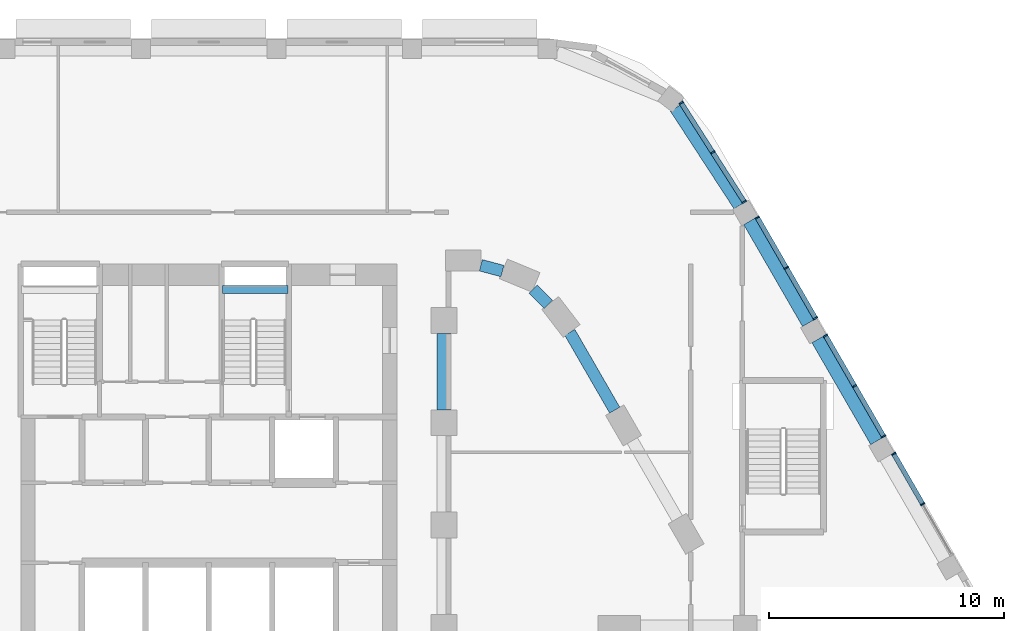
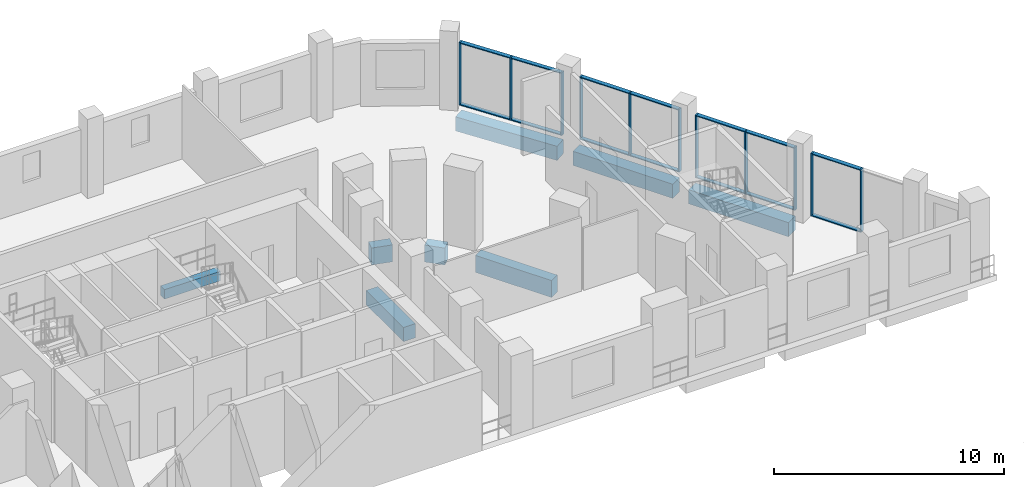
# One storey, part 6 of 22: 25 members, 8 beams, 4 elements without a shape of their own.
"""IFC4 building model written with IfcOpenShell, lengths in metres."""

from ifc_helpers import new_model, si_unit, direction, frame, origin, origin_2d, place, context, subcontext, project, spatial, rectangle, extrude, material, layer, layer_set, material_profile, profile_set, type_object, element, aggregate, save


model = new_model("IFC4")

# Units and contexts
model_context = context("Model", 3, precision=1e-05, world=origin(), true_north=direction((0.0, 1.0)))
body_context = subcontext(model_context, "Body", "Model", "MODEL_VIEW")
ifc_project = project(units=[si_unit("LENGTHUNIT", "METRE"), si_unit("AREAUNIT", "SQUARE_METRE"), si_unit("VOLUMEUNIT", "CUBIC_METRE"), si_unit("PLANEANGLEUNIT", "RADIAN"), si_unit("MASSUNIT", "GRAM", prefix="KILO")], contexts=[model_context])

# Site, building, storey
site_placement = place(None, origin())
site = spatial("IfcSite", under=ifc_project, at=site_placement, CompositionType="ELEMENT")
building_placement = place(site_placement, origin())
building = spatial("IfcBuilding", under=site, at=building_placement, Name="Nakaniwa Court", CompositionType="ELEMENT")
storey_placement = place(building_placement, frame((0.0, 0.0, 24.0)))
storey = spatial("IfcBuildingStorey", under=building, at=storey_placement, Name="L05", CompositionType="ELEMENT", Elevation=24.0)

# Beams
ifc_material_1 = material(Name="Concrete C100/115", Category="concrete")
ifc_material_profile_1 = material_profile(ifc_material_1, rectangle(XDim=0.5, YDim=0.89990234375, at=origin_2d()), Name="Concrete C100/115 RC 500x900 spandrel beam")
ifc_profile_set_1 = profile_set([ifc_material_profile_1], Name="Concrete C100/115")
beam_type_1 = type_object("IfcBeamType", Name="Concrete C100/115 RC 500x900 spandrel beam", PredefinedType="BEAM", material=ifc_profile_set_1)
beam_1_placement = place(storey_placement, frame((97.2705078125, 97.1865234375, -0.75), z_axis=(-0.500023067617, 0.86601208528, 0.0), x_axis=(-0.86601208528, -0.500023067617, 0.0)))
element("IfcBeam", 1, at=beam_1_placement, inside=storey, type_object=beam_type_1, Name="SPANDREL BEAM", PredefinedType="BEAM", context=body_context, shape_type="SweptSolid", body=[
    extrude(rectangle(XDim=0.5, YDim=0.89990234375, at=origin_2d()), origin(), (0.0, 0.0, 1.0), 3.819580078125),
])
beam_2_placement = place(storey_placement, frame((94.448486328125, 101.68505859375, -0.75), z_axis=(-0.705908410536, 0.708303124329, 0.0), x_axis=(-0.708303124329, -0.705908410536, 0.0)))
element("IfcBeam", 2, at=beam_2_placement, inside=storey, type_object=beam_type_1, Name="SPANDREL BEAM", PredefinedType="BEAM", context=body_context, shape_type="SweptSolid", body=[
    extrude(rectangle(XDim=0.5, YDim=0.89990234375, at=origin_2d()), origin(), (0.0, 0.0, 1.0), 0.91748046875),
])
beam_3_placement = place(storey_placement, frame((92.49609375, 103.10498046875, -0.75), z_axis=(-0.966324126494, 0.257327966912, 0.0), x_axis=(-0.257327966912, -0.966324126494, 0.0)))
element("IfcBeam", 3, at=beam_3_placement, inside=storey, type_object=beam_type_1, Name="SPANDREL BEAM", PredefinedType="BEAM", context=body_context, shape_type="SweptSolid", body=[
    extrude(rectangle(XDim=0.5, YDim=0.89990234375, at=origin_2d()), origin(), (0.0, 0.0, 1.0), 0.95361328125),
])
ifc_material_profile_2 = material_profile(ifc_material_1, rectangle(XDim=0.60009765625, YDim=0.75, at=origin_2d()), Name="Concrete C100/115 RC 600x750 ring beam")
ifc_profile_set_2 = profile_set([ifc_material_profile_2], Name="Concrete C100/115")
beam_type_2 = type_object("IfcBeamType", Name="Concrete C100/115 RC 600x750 ring beam", PredefinedType="BEAM", material=ifc_profile_set_2)
beam_4_placement = place(storey_placement, frame((90.0, 97.199951171875, -0.675048828125), z_axis=(0.0, 1.0, 0.0), x_axis=(-1.0, 0.0, 0.0)))
element("IfcBeam", 4, at=beam_4_placement, inside=storey, type_object=beam_type_2, Name="RING BEAM", PredefinedType="BEAM", context=body_context, shape_type="SweptSolid", body=[
    extrude(rectangle(XDim=0.60009765625, YDim=0.75, at=origin_2d()), origin(), (0.0, 0.0, 1.0), 3.25),
])
beam_5_placement = place(storey_placement, frame((108.422119140625, 95.87158203125, -0.675048828125), z_axis=(-0.499997052475, 0.866027105532, 0.0), x_axis=(-0.866027105532, -0.499997052475, 0.0)))
element("IfcBeam", 5, at=beam_5_placement, inside=storey, type_object=beam_type_2, Name="RING BEAM", PredefinedType="BEAM", context=body_context, shape_type="SweptSolid", body=[
    extrude(rectangle(XDim=0.60009765625, YDim=0.75, at=origin_2d()), origin(), (0.0, 0.0, 1.0), 5.00244140625),
])
beam_6_placement = place(storey_placement, frame((105.520751953125, 100.896728515625, -0.675048828125), z_axis=(-0.499981580887, 0.866036037803, 0.0), x_axis=(-0.866036037803, -0.499981580887, 0.0)))
element("IfcBeam", 6, at=beam_6_placement, inside=storey, type_object=beam_type_2, Name="RING BEAM", PredefinedType="BEAM", context=body_context, shape_type="SweptSolid", body=[
    extrude(rectangle(XDim=0.60009765625, YDim=0.75, at=origin_2d()), origin(), (0.0, 0.0, 1.0), 5.002197265625),
])
beam_7_placement = place(storey_placement, frame((102.600830078125, 105.910888671875, -0.675048828125), z_axis=(-0.546240745353, 0.837628227865, 0.0), x_axis=(-0.837628227865, -0.546240745353, 0.0)))
element("IfcBeam", 7, at=beam_7_placement, inside=storey, type_object=beam_type_2, Name="RING BEAM", PredefinedType="BEAM", context=body_context, shape_type="SweptSolid", body=[
    extrude(rectangle(XDim=0.60009765625, YDim=0.75, at=origin_2d()), origin(), (0.0, 0.0, 1.0), 4.95849609375),
])
ifc_material_2 = material(Name="Concrete C80/100", Category="concrete")
ifc_material_profile_3 = material_profile(ifc_material_2, rectangle(XDim=0.35009765625, YDim=0.5, at=origin_2d()), Name="Concrete C80/100 RC 350x500 landing ledge beam")
ifc_profile_set_3 = profile_set([ifc_material_profile_3], Name="Concrete C80/100")
beam_type_3 = type_object("IfcBeamType", Name="Concrete C80/100 RC 350x500 landing ledge beam", PredefinedType="BEAM", material=ifc_profile_set_3)
beam_8_placement = place(storey_placement, frame((80.574951171875, 102.324951171875, 1.64990234375), z_axis=(1.0, 0.0, 0.0), x_axis=(0.0, 1.0, 0.0)))
element("IfcBeam", 8, at=beam_8_placement, inside=storey, type_object=beam_type_3, Name="LANDING LEDGE BEAM", PredefinedType="BEAM", context=body_context, shape_type="SweptSolid", body=[
    extrude(rectangle(XDim=0.35009765625, YDim=0.5, at=origin_2d()), origin(), (0.0, 0.0, 1.0), 2.800048828125),
])

# Curtain wall, members
ifc_material_3 = material(Name="Black anodised aluminium frame with dark low-E laminated double glazing", Category="aluminium")
ifc_layer = layer(ifc_material_3, 0.199951171875)
ifc_layer_set = layer_set([ifc_layer], Name="Black anodised aluminium frame with dark low-E laminated double glazing")
curtain_wall_type = type_object("IfcCurtainWallType", Name="Podium unitised curtain wall", PredefinedType="NOTDEFINED", material=ifc_layer_set)
curtain_wall_1_placement = place(storey_placement, origin())
curtain_wall_1 = element("IfcCurtainWall", 9, at=curtain_wall_1_placement, inside=storey, type_object=curtain_wall_type, Name="L05 curtain wall CW1 40", PredefinedType="NOTDEFINED")
ifc_material_4 = material(Name="Black anodised aluminium extrusion", Category="aluminium")
ifc_material_profile_4 = material_profile(ifc_material_4, rectangle(XDim=0.199951171875, YDim=0.06494140625, at=origin_2d()), Name="Podium unitised curtain wall mullion 65x200")
ifc_profile_set_4 = profile_set([ifc_material_profile_4], Name="Black anodised aluminium extrusion")
member_type_1 = type_object("IfcMemberType", Name="Podium unitised curtain wall mullion 65x200", PredefinedType="MULLION", material=ifc_profile_set_4)
member_1_placement = place(storey_placement, frame((110.375732421875, 93.187744140625, 0.0), z_axis=(0.0, 0.0, 1.0), x_axis=(-0.866032365426, -0.499987941889, 0.0)))
member_1 = element("IfcMember", 10, at=member_1_placement, type_object=member_type_1, Name="CW1 mullion 2", PredefinedType="MULLION", context=body_context, shape_type="SweptSolid", body=[
    extrude(rectangle(XDim=0.199951171875, YDim=0.06494140625, at=origin_2d()), origin(), (0.0, 0.0, 1.0), 3.324951171875),
])
member_2_placement = place(storey_placement, frame((109.139404296875, 95.329345703125, 0.0), z_axis=(0.0, 0.0, 1.0), x_axis=(-0.866032365426, -0.499987941889, 0.0)))
member_2 = element("IfcMember", 11, at=member_2_placement, type_object=member_type_1, Name="CW1 mullion 3", PredefinedType="MULLION", context=body_context, shape_type="SweptSolid", body=[
    extrude(rectangle(XDim=0.199951171875, YDim=0.06494140625, at=origin_2d()), origin(), (0.0, 0.0, 1.0), 3.324951171875),
])

curtain_wall_2_placement = place(storey_placement, origin())
curtain_wall_2 = element("IfcCurtainWall", 12, at=curtain_wall_2_placement, inside=storey, type_object=curtain_wall_type, Name="L05 curtain wall CW1 41", PredefinedType="NOTDEFINED")
member_3_placement = place(storey_placement, frame((108.7109375, 96.0712890625, 0.0), z_axis=(0.0, 0.0, 1.0), x_axis=(-0.866028712692, -0.499994268761, 0.0)))
member_3 = element("IfcMember", 13, at=member_3_placement, type_object=member_type_1, Name="CW1 mullion 1", PredefinedType="MULLION", context=body_context, shape_type="SweptSolid", body=[
    extrude(rectangle(XDim=0.199951171875, YDim=0.06494140625, at=origin_2d()), origin(), (0.0, 0.0, 1.0), 3.324951171875),
])
member_4_placement = place(storey_placement, frame((107.474609375, 98.212890625, 0.0), z_axis=(0.0, 0.0, 1.0), x_axis=(-0.866028712692, -0.499994268761, 0.0)))
member_4 = element("IfcMember", 14, at=member_4_placement, type_object=member_type_1, Name="CW1 mullion 2", PredefinedType="MULLION", context=body_context, shape_type="SweptSolid", body=[
    extrude(rectangle(XDim=0.199951171875, YDim=0.06494140625, at=origin_2d()), origin(), (0.0, 0.0, 1.0), 3.324951171875),
])
member_5_placement = place(storey_placement, frame((106.238037109375, 100.354248046875, 0.0), z_axis=(0.0, 0.0, 1.0), x_axis=(-0.866028712692, -0.499994268761, 0.0)))
member_5 = element("IfcMember", 15, at=member_5_placement, type_object=member_type_1, Name="CW1 mullion 3", PredefinedType="MULLION", context=body_context, shape_type="SweptSolid", body=[
    extrude(rectangle(XDim=0.199951171875, YDim=0.06494140625, at=origin_2d()), origin(), (0.0, 0.0, 1.0), 3.324951171875),
])

curtain_wall_3_placement = place(storey_placement, origin())
curtain_wall_3 = element("IfcCurtainWall", 16, at=curtain_wall_3_placement, inside=storey, type_object=curtain_wall_type, Name="L05 curtain wall CW1 42", PredefinedType="NOTDEFINED")
member_6_placement = place(storey_placement, frame((105.8095703125, 101.096435546875, 0.0), z_axis=(0.0, 0.0, 1.0), x_axis=(-0.866032365426, -0.499987941889, 0.0)))
member_6 = element("IfcMember", 17, at=member_6_placement, type_object=member_type_1, Name="CW1 mullion 1", PredefinedType="MULLION", context=body_context, shape_type="SweptSolid", body=[
    extrude(rectangle(XDim=0.199951171875, YDim=0.06494140625, at=origin_2d()), origin(), (0.0, 0.0, 1.0), 3.324951171875),
])
member_7_placement = place(storey_placement, frame((104.5732421875, 103.23779296875, 0.0), z_axis=(0.0, 0.0, 1.0), x_axis=(-0.866032365426, -0.499987941889, 0.0)))
member_7 = element("IfcMember", 18, at=member_7_placement, type_object=member_type_1, Name="CW1 mullion 2", PredefinedType="MULLION", context=body_context, shape_type="SweptSolid", body=[
    extrude(rectangle(XDim=0.199951171875, YDim=0.06494140625, at=origin_2d()), origin(), (0.0, 0.0, 1.0), 3.324951171875),
])
member_8_placement = place(storey_placement, frame((103.337158203125, 105.379150390625, 0.0), z_axis=(0.0, 0.0, 1.0), x_axis=(-0.866032365426, -0.499987941889, 0.0)))
member_8 = element("IfcMember", 19, at=member_8_placement, type_object=member_type_1, Name="CW1 mullion 3", PredefinedType="MULLION", context=body_context, shape_type="SweptSolid", body=[
    extrude(rectangle(XDim=0.199951171875, YDim=0.06494140625, at=origin_2d()), origin(), (0.0, 0.0, 1.0), 3.324951171875),
])

curtain_wall_4_placement = place(storey_placement, origin())
curtain_wall_4 = element("IfcCurtainWall", 20, at=curtain_wall_4_placement, inside=storey, type_object=curtain_wall_type, Name="L05 curtain wall CW1 43", PredefinedType="NOTDEFINED")
member_9_placement = place(storey_placement, frame((102.780517578125, 106.0498046875, 0.0), z_axis=(0.0, 0.0, 1.0), x_axis=(-0.843171726606, -0.537644342899, 0.0)))
member_9 = element("IfcMember", 21, at=member_9_placement, type_object=member_type_1, Name="CW1 mullion 1", PredefinedType="MULLION", context=body_context, shape_type="SweptSolid", body=[
    extrude(rectangle(XDim=0.199951171875, YDim=0.06494140625, at=origin_2d()), origin(), (0.0, 0.0, 1.0), 3.324951171875),
])
member_10_placement = place(storey_placement, frame((101.438720703125, 108.154296875, 0.0), z_axis=(0.0, 0.0, 1.0), x_axis=(-0.843171726606, -0.537644342899, 0.0)))
member_10 = element("IfcMember", 22, at=member_10_placement, type_object=member_type_1, Name="CW1 mullion 2", PredefinedType="MULLION", context=body_context, shape_type="SweptSolid", body=[
    extrude(rectangle(XDim=0.199951171875, YDim=0.06494140625, at=origin_2d()), origin(), (0.0, 0.0, 1.0), 3.324951171875),
])
member_11_placement = place(storey_placement, frame((100.096923828125, 110.258544921875, 0.0), z_axis=(0.0, 0.0, 1.0), x_axis=(-0.843171726606, -0.537644342899, 0.0)))
member_11 = element("IfcMember", 23, at=member_11_placement, type_object=member_type_1, Name="CW1 mullion 3", PredefinedType="MULLION", context=body_context, shape_type="SweptSolid", body=[
    extrude(rectangle(XDim=0.199951171875, YDim=0.06494140625, at=origin_2d()), origin(), (0.0, 0.0, 1.0), 3.324951171875),
])

# Member
ifc_material_profile_5 = material_profile(ifc_material_4, rectangle(XDim=0.199951171875, YDim=0.050048828125, at=origin_2d()), Name="Podium unitised curtain wall transom 50x200")
ifc_profile_set_5 = profile_set([ifc_material_profile_5], Name="Black anodised aluminium extrusion")
member_type_2 = type_object("IfcMemberType", Name="Podium unitised curtain wall transom 50x200", PredefinedType="USERDEFINED", material=ifc_profile_set_5)
member_12_placement = place(storey_placement, frame((110.359375, 93.216064453125, 0.02490234375), z_axis=(-0.50003260427, 0.866006578882, 0.0), x_axis=(-0.866006578882, -0.50003260427, 0.0)))
member_12 = element("IfcMember", 24, at=member_12_placement, type_object=member_type_2, Name="CW1 transom 2.1", ObjectType="TRANSOM", PredefinedType="USERDEFINED", context=body_context, shape_type="SweptSolid", body=[
    extrude(rectangle(XDim=0.199951171875, YDim=0.050048828125, at=origin_2d()), origin(), (0.0, 0.0, 1.0), 2.407470703125),
])

member_13_placement = place(storey_placement, frame((110.359375, 93.216064453125, 3.300048828125), z_axis=(-0.50003260427, 0.866006578882, 0.0), x_axis=(-0.866006578882, -0.50003260427, 0.0)))
member_13 = element("IfcMember", 25, at=member_13_placement, type_object=member_type_2, Name="CW1 transom 2.2", ObjectType="TRANSOM", PredefinedType="USERDEFINED", context=body_context, shape_type="SweptSolid", body=[
    extrude(rectangle(XDim=0.199951171875, YDim=0.050048828125, at=origin_2d()), origin(), (0.0, 0.0, 1.0), 2.407470703125),
])

aggregate(curtain_wall_1, [member_1, member_2, member_12, member_13])

member_14_placement = place(storey_placement, frame((108.694580078125, 96.099609375, 0.02490234375), z_axis=(-0.50003260427, 0.866006578882, 0.0), x_axis=(-0.866006578882, -0.50003260427, 0.0)))
member_14 = element("IfcMember", 26, at=member_14_placement, type_object=member_type_2, Name="CW1 transom 1.1", ObjectType="TRANSOM", PredefinedType="USERDEFINED", context=body_context, shape_type="SweptSolid", body=[
    extrude(rectangle(XDim=0.199951171875, YDim=0.050048828125, at=origin_2d()), origin(), (0.0, 0.0, 1.0), 2.407470703125),
])

member_15_placement = place(storey_placement, frame((108.694580078125, 96.099609375, 3.300048828125), z_axis=(-0.50003260427, 0.866006578882, 0.0), x_axis=(-0.866006578882, -0.50003260427, 0.0)))
member_15 = element("IfcMember", 27, at=member_15_placement, type_object=member_type_2, Name="CW1 transom 1.2", ObjectType="TRANSOM", PredefinedType="USERDEFINED", context=body_context, shape_type="SweptSolid", body=[
    extrude(rectangle(XDim=0.199951171875, YDim=0.050048828125, at=origin_2d()), origin(), (0.0, 0.0, 1.0), 2.407470703125),
])

member_16_placement = place(storey_placement, frame((107.458251953125, 98.240966796875, 0.02490234375), z_axis=(-0.499988695522, 0.866031930329, 0.0), x_axis=(-0.866031930329, -0.499988695522, 0.0)))
member_16 = element("IfcMember", 28, at=member_16_placement, type_object=member_type_2, Name="CW1 transom 2.1", ObjectType="TRANSOM", PredefinedType="USERDEFINED", context=body_context, shape_type="SweptSolid", body=[
    extrude(rectangle(XDim=0.199951171875, YDim=0.050048828125, at=origin_2d()), origin(), (0.0, 0.0, 1.0), 2.40771484375),
])

member_17_placement = place(storey_placement, frame((107.458251953125, 98.240966796875, 3.300048828125), z_axis=(-0.499988695522, 0.866031930329, 0.0), x_axis=(-0.866031930329, -0.499988695522, 0.0)))
member_17 = element("IfcMember", 29, at=member_17_placement, type_object=member_type_2, Name="CW1 transom 2.2", ObjectType="TRANSOM", PredefinedType="USERDEFINED", context=body_context, shape_type="SweptSolid", body=[
    extrude(rectangle(XDim=0.199951171875, YDim=0.050048828125, at=origin_2d()), origin(), (0.0, 0.0, 1.0), 2.40771484375),
])

aggregate(curtain_wall_2, [member_3, member_4, member_5, member_14, member_15, member_16, member_17])

member_18_placement = place(storey_placement, frame((105.79345703125, 101.12451171875, 0.02490234375), z_axis=(-0.499988695522, 0.866031930329, 0.0), x_axis=(-0.866031930329, -0.499988695522, 0.0)))
member_18 = element("IfcMember", 30, at=member_18_placement, type_object=member_type_2, Name="CW1 transom 1.1", ObjectType="TRANSOM", PredefinedType="USERDEFINED", context=body_context, shape_type="SweptSolid", body=[
    extrude(rectangle(XDim=0.199951171875, YDim=0.050048828125, at=origin_2d()), origin(), (0.0, 0.0, 1.0), 2.40771484375),
])

member_19_placement = place(storey_placement, frame((105.79345703125, 101.12451171875, 3.300048828125), z_axis=(-0.499988695522, 0.866031930329, 0.0), x_axis=(-0.866031930329, -0.499988695522, 0.0)))
member_19 = element("IfcMember", 31, at=member_19_placement, type_object=member_type_2, Name="CW1 transom 1.2", ObjectType="TRANSOM", PredefinedType="USERDEFINED", context=body_context, shape_type="SweptSolid", body=[
    extrude(rectangle(XDim=0.199951171875, YDim=0.050048828125, at=origin_2d()), origin(), (0.0, 0.0, 1.0), 2.40771484375),
])

member_20_placement = place(storey_placement, frame((104.55712890625, 103.265869140625, 0.02490234375), z_axis=(-0.499988695522, 0.866031930329, 0.0), x_axis=(-0.866031930329, -0.499988695522, 0.0)))
member_20 = element("IfcMember", 32, at=member_20_placement, type_object=member_type_2, Name="CW1 transom 2.1", ObjectType="TRANSOM", PredefinedType="USERDEFINED", context=body_context, shape_type="SweptSolid", body=[
    extrude(rectangle(XDim=0.199951171875, YDim=0.050048828125, at=origin_2d()), origin(), (0.0, 0.0, 1.0), 2.40771484375),
])

member_21_placement = place(storey_placement, frame((104.55712890625, 103.265869140625, 3.300048828125), z_axis=(-0.499988695522, 0.866031930329, 0.0), x_axis=(-0.866031930329, -0.499988695522, 0.0)))
member_21 = element("IfcMember", 33, at=member_21_placement, type_object=member_type_2, Name="CW1 transom 2.2", ObjectType="TRANSOM", PredefinedType="USERDEFINED", context=body_context, shape_type="SweptSolid", body=[
    extrude(rectangle(XDim=0.199951171875, YDim=0.050048828125, at=origin_2d()), origin(), (0.0, 0.0, 1.0), 2.40771484375),
])

aggregate(curtain_wall_3, [member_6, member_7, member_8, member_18, member_19, member_20, member_21])

member_22_placement = place(storey_placement, frame((102.762939453125, 106.077392578125, 0.02490234375), z_axis=(-0.537642140541, 0.843173130925, 0.0), x_axis=(-0.843173130925, -0.537642140541, 0.0)))
member_22 = element("IfcMember", 34, at=member_22_placement, type_object=member_type_2, Name="CW1 transom 1.1", ObjectType="TRANSOM", PredefinedType="USERDEFINED", context=body_context, shape_type="SweptSolid", body=[
    extrude(rectangle(XDim=0.199951171875, YDim=0.050048828125, at=origin_2d()), origin(), (0.0, 0.0, 1.0), 2.4306640625),
])

member_23_placement = place(storey_placement, frame((102.762939453125, 106.077392578125, 3.300048828125), z_axis=(-0.537642140541, 0.843173130925, 0.0), x_axis=(-0.843173130925, -0.537642140541, 0.0)))
member_23 = element("IfcMember", 35, at=member_23_placement, type_object=member_type_2, Name="CW1 transom 1.2", ObjectType="TRANSOM", PredefinedType="USERDEFINED", context=body_context, shape_type="SweptSolid", body=[
    extrude(rectangle(XDim=0.199951171875, YDim=0.050048828125, at=origin_2d()), origin(), (0.0, 0.0, 1.0), 2.4306640625),
])

member_24_placement = place(storey_placement, frame((101.421142578125, 108.181640625, 0.02490234375), z_axis=(-0.537642140541, 0.843173130925, 0.0), x_axis=(-0.843173130925, -0.537642140541, 0.0)))
member_24 = element("IfcMember", 36, at=member_24_placement, type_object=member_type_2, Name="CW1 transom 2.1", ObjectType="TRANSOM", PredefinedType="USERDEFINED", context=body_context, shape_type="SweptSolid", body=[
    extrude(rectangle(XDim=0.199951171875, YDim=0.050048828125, at=origin_2d()), origin(), (0.0, 0.0, 1.0), 2.4306640625),
])

member_25_placement = place(storey_placement, frame((101.421142578125, 108.181640625, 3.300048828125), z_axis=(-0.537642140541, 0.843173130925, 0.0), x_axis=(-0.843173130925, -0.537642140541, 0.0)))
member_25 = element("IfcMember", 37, at=member_25_placement, type_object=member_type_2, Name="CW1 transom 2.2", ObjectType="TRANSOM", PredefinedType="USERDEFINED", context=body_context, shape_type="SweptSolid", body=[
    extrude(rectangle(XDim=0.199951171875, YDim=0.050048828125, at=origin_2d()), origin(), (0.0, 0.0, 1.0), 2.4306640625),
])

aggregate(curtain_wall_4, [member_9, member_10, member_11, member_22, member_23, member_24, member_25])

save(model, "model.ifc")
